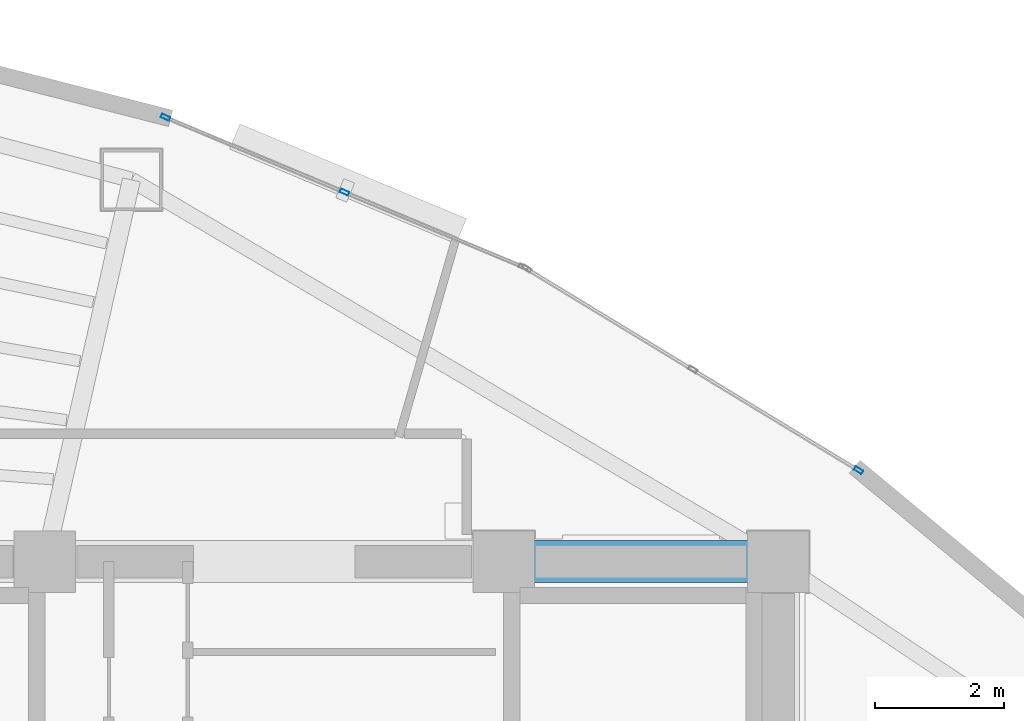
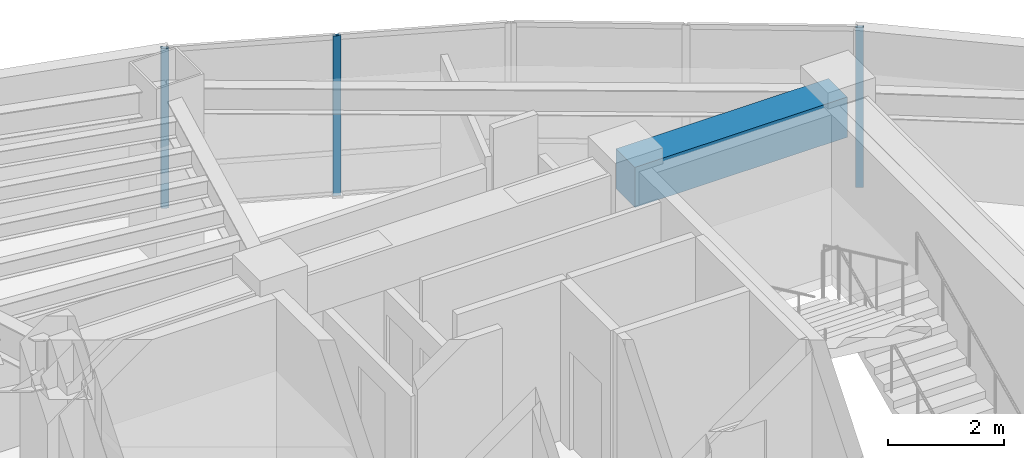
# One storey, part 9 of 16: 3 members, 1 beam, 2 elements without a shape of their own.
"""IFC4 building model written with IfcOpenShell, lengths in metres."""

from ifc_helpers import new_model, si_unit, direction, frame, origin, origin_2d, place, context, subcontext, project, spatial, rectangle, hollow_rectangle, extrude, material, layer, layer_set, material_profile, profile_set, type_object, element, aggregate, save


model = new_model("IFC4")

# Units and contexts
model_context = context("Model", 3, precision=1e-05, world=origin(), true_north=direction((0.0, 1.0)))
body_context = subcontext(model_context, "Body", "Model", "MODEL_VIEW")
ifc_project = project(units=[si_unit("LENGTHUNIT", "METRE"), si_unit("AREAUNIT", "SQUARE_METRE"), si_unit("VOLUMEUNIT", "CUBIC_METRE"), si_unit("PLANEANGLEUNIT", "RADIAN"), si_unit("MASSUNIT", "GRAM", prefix="KILO")], contexts=[model_context])

# Site, building, storey
site_placement = place(None, origin())
site = spatial("IfcSite", under=ifc_project, at=site_placement, CompositionType="ELEMENT")
building_placement = place(site_placement, origin())
building = spatial("IfcBuilding", under=site, at=building_placement, Name="Menara Vayukalpa", CompositionType="ELEMENT")
storey_placement = place(building_placement, frame((0.0, 0.0, 210.1201171875)))
storey = spatial("IfcBuildingStorey", under=building, at=storey_placement, Name="L53", CompositionType="ELEMENT", Elevation=210.1201171875)

# Beam
ifc_material_1 = material(Name="Concrete C60/75", Category="concrete")
ifc_material_profile_1 = material_profile(ifc_material_1, rectangle(XDim=0.64990234375, YDim=0.85009765625, at=origin_2d()), Name="RC 650x850")
ifc_profile_set_1 = profile_set([ifc_material_profile_1], Name="Concrete C60/75")
beam_type = type_object("IfcBeamType", Name="BM-CB1", PredefinedType="BEAM", material=ifc_profile_set_1)
beam_placement = place(storey_placement, frame((29.14990234375, 26.800048828125, 2.954833984375), z_axis=(1.0, 0.0, 0.0), x_axis=(0.0, 1.0, 0.0)))
element("IfcBeam", 1, at=beam_placement, inside=storey, type_object=beam_type, Name="L53 Core Tie Beam CBR6", PredefinedType="BEAM", context=body_context, shape_type="SweptSolid", body=[
    extrude(rectangle(XDim=0.64990234375, YDim=0.85009765625, at=origin_2d()), origin(), (0.0, 0.0, 1.0), 4.25),
])

# Curtain wall, member
ifc_material_2 = material(Name="Anodised Terracotta Aluminium Alloy 6063-T6", Category="masonry")
ifc_layer = layer(ifc_material_2, 0.139892578125)
ifc_layer_set = layer_set([ifc_layer], Name="Anodised Terracotta Aluminium Alloy 6063-T6")
curtain_wall_type = type_object("IfcCurtainWallType", Name="CW-CW5", PredefinedType="USERDEFINED", material=ifc_layer_set)
curtain_wall_1_placement = place(storey_placement, origin())
curtain_wall_1 = element("IfcCurtainWall", 2, at=curtain_wall_1_placement, inside=storey, type_object=curtain_wall_type, Name="L53 High Rise Tapered Curtain Wall CW5 04", ObjectType="UNITISED", PredefinedType="USERDEFINED")
ifc_material_3 = material(Name="Anodised Terracotta Aluminium Alloy 6063-T6", Category="masonry")
ifc_material_profile_2 = material_profile(ifc_material_3, hollow_rectangle(XDim=0.06005859375, YDim=0.139892578125, WallThickness=0.00341796875, at=origin_2d()), Name="ALU 60x140x3.5")
ifc_profile_set_2 = profile_set([ifc_material_profile_2], Name="Anodised Terracotta Aluminium Alloy 6063-T6")
member_type = type_object("IfcMemberType", Name="CWM-CW5", PredefinedType="MULLION", material=ifc_profile_set_2)
member_1_placement = place(storey_placement, frame((34.6416015625, 28.21484375, 0.0), z_axis=(0.0, 0.0, 1.0), x_axis=(-0.519179911779, -0.854664974832, 0.0)))
member_1 = element("IfcMember", 3, at=member_1_placement, type_object=member_type, Name="CW5 mullion 1", PredefinedType="MULLION", context=body_context, shape_type="SweptSolid", body=[
    extrude(hollow_rectangle(XDim=0.06005859375, YDim=0.139892578125, WallThickness=0.00341796875, at=origin_2d()), origin(), (0.0, 0.0, 1.0), 3.3798828125),
])
aggregate(curtain_wall_1, [member_1])

# Curtain wall, members
curtain_wall_2_placement = place(storey_placement, origin())
curtain_wall_2 = element("IfcCurtainWall", 4, at=curtain_wall_2_placement, inside=storey, type_object=curtain_wall_type, Name="L53 High Rise Tapered Curtain Wall CW5 05", ObjectType="UNITISED", PredefinedType="USERDEFINED")
member_2_placement = place(storey_placement, frame((26.686279296875, 32.518310546875, 0.0), z_axis=(0.0, 0.0, 1.0), x_axis=(-0.385902834406, -0.922539431351, 0.0)))
member_2 = element("IfcMember", 5, at=member_2_placement, type_object=member_type, Name="CW5 mullion 2", PredefinedType="MULLION", context=body_context, shape_type="SweptSolid", body=[
    extrude(hollow_rectangle(XDim=0.06005859375, YDim=0.139892578125, WallThickness=0.00341796875, at=origin_2d()), origin(), (0.0, 0.0, 1.0), 3.3798828125),
])
member_3_placement = place(storey_placement, frame((23.916259765625, 33.677001953125, 0.0), z_axis=(0.0, 0.0, 1.0), x_axis=(-0.385902834406, -0.922539431351, 0.0)))
member_3 = element("IfcMember", 6, at=member_3_placement, type_object=member_type, Name="CW5 mullion 3", PredefinedType="MULLION", context=body_context, shape_type="SweptSolid", body=[
    extrude(hollow_rectangle(XDim=0.06005859375, YDim=0.139892578125, WallThickness=0.00341796875, at=origin_2d()), origin(), (0.0, 0.0, 1.0), 3.3798828125),
])
aggregate(curtain_wall_2, [member_2, member_3])

save(model, "model.ifc")
